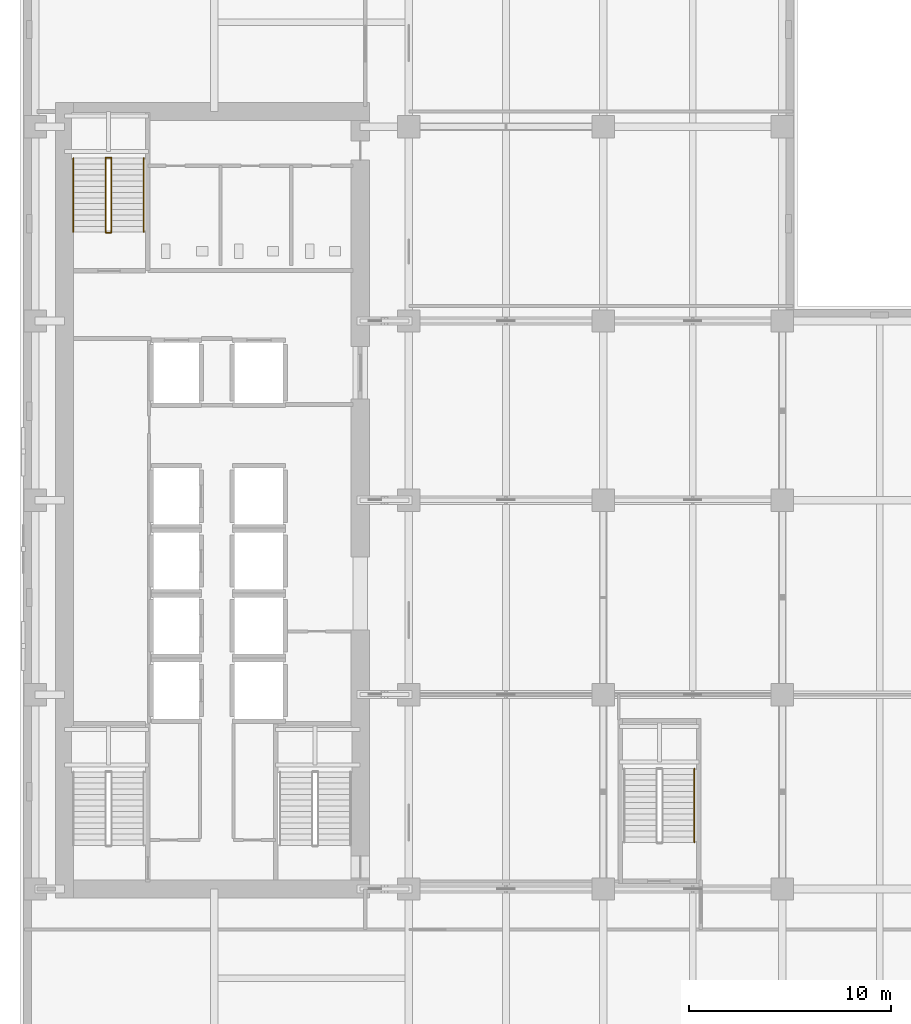
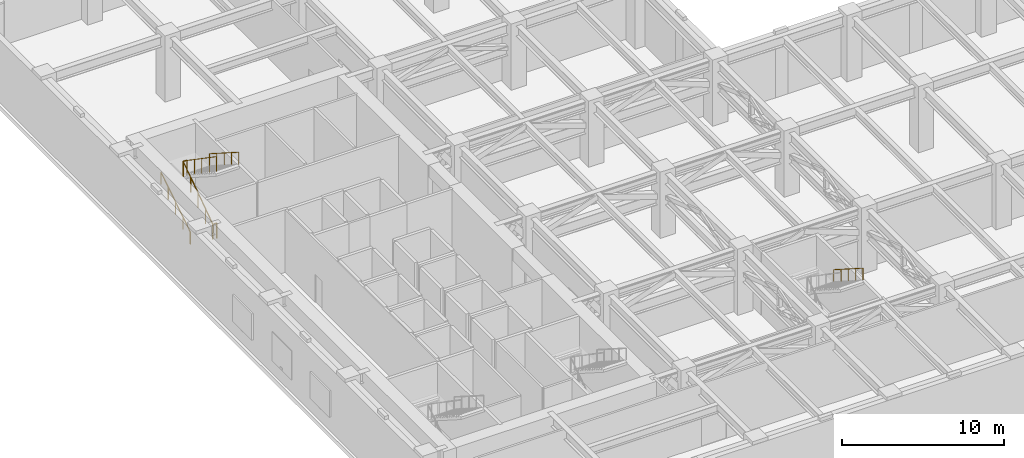
# One storey, part 20 of 22: 7 railings.
"""IFC4 building model written with IfcOpenShell, lengths in metres."""

from ifc_helpers import new_model, si_unit, direction, frame, origin, origin_2d, place, context, subcontext, project, spatial, circle, extrude, material, type_object, element, save


model = new_model("IFC4")

# Units and contexts
model_context = context("Model", 3, precision=1e-05, world=origin(), true_north=direction((0.0, 1.0)))
body_context = subcontext(model_context, "Body", "Model", "MODEL_VIEW")
ifc_project = project(units=[si_unit("LENGTHUNIT", "METRE"), si_unit("AREAUNIT", "SQUARE_METRE"), si_unit("VOLUMEUNIT", "CUBIC_METRE"), si_unit("PLANEANGLEUNIT", "RADIAN"), si_unit("MASSUNIT", "GRAM", prefix="KILO")], contexts=[model_context])

# Site, building, storey
site_placement = place(None, origin())
site = spatial("IfcSite", under=ifc_project, at=site_placement, CompositionType="ELEMENT")
building_placement = place(site_placement, origin())
building = spatial("IfcBuilding", under=site, at=building_placement, Name="Norrvale University Quadrangle", CompositionType="ELEMENT")
storey_placement = place(building_placement, frame((0.0, 0.0, 96.39990234375)))
storey = spatial("IfcBuildingStorey", under=building, at=storey_placement, Name="L24", CompositionType="ELEMENT", Elevation=96.39990234375)

# Railings
ifc_material_1 = material(Name="Steel 350W Painted Balustrade", Category="steel")
railing_type_1 = type_object("IfcRailingType", Name="Railing Stair Guard 1100", PredefinedType="GUARDRAIL", material=ifc_material_1)
for number, where, name in (
    (1, (4.239990234375, 42.02001953125, 0.0), "Stair Floor Well Guard ST-02 L24"),
    (2, (4.239990234375, 45.719970703125, 2.5), "Stair Mid-Landing Slot Guard ST-02 L24"),
):
    element("IfcRailing", number, at=place(storey_placement, frame(where)), inside=storey, type_object=railing_type_1, Name=name, PredefinedType="GUARDRAIL", context=body_context, shape_type="SweptSolid", body=[
        extrude(circle(Radius=0.02392578125, at=origin_2d()), frame((0.0, 0.0, 1.1259765625), z_axis=(1.0, 0.0, 0.0), x_axis=(0.0, 1.0, 0.0)), (0.0, 0.0, 1.0), 0.27001953125),
        extrude(circle(Radius=0.02099609375, at=origin_2d()), origin(), (0.0, 0.0, 1.0), 1.101806640625),
        extrude(circle(Radius=0.02099609375, at=origin_2d()), frame((0.27001953125, 0.0, 0.0)), (0.0, 0.0, 1.0), 1.101806640625),
    ])
railing_1_placement = place(storey_placement, frame((4.239990234375, 42.050048828125, 0.0)))
element("IfcRailing", 3, at=railing_1_placement, inside=storey, type_object=railing_type_1, Name="Stair Lower Flight Inner Guard ST-02 L24", PredefinedType="GUARDRAIL", context=body_context, shape_type="SweptSolid", body=[
    extrude(circle(Radius=0.02392578125, at=origin_2d()), frame((0.0, 0.0, 1.1259765625), z_axis=(0.0, 0.824298337968, 0.566155676491), x_axis=(-1.0, 0.0, 0.0)), (0.0, 0.0, 1.0), 4.415771484375),
    extrude(circle(Radius=0.02099609375, at=origin_2d()), origin(), (0.0, 0.0, 1.0), 1.101806640625),
    extrude(circle(Radius=0.02099609375, at=origin_2d()), frame((0.0, 0.909912109375, 0.625)), (0.0, 0.0, 1.0), 1.101806640625),
    extrude(circle(Radius=0.02099609375, at=origin_2d()), frame((0.0, 1.81982421875, 1.25)), (0.0, 0.0, 1.0), 1.101806640625),
    extrude(circle(Radius=0.02099609375, at=origin_2d()), frame((0.0, 2.72998046875, 1.875)), (0.0, 0.0, 1.0), 1.101806640625),
    extrude(circle(Radius=0.02099609375, at=origin_2d()), frame((0.0, 3.639892578125, 2.5)), (0.0, 0.0, 1.0), 1.101806640625),
])
railing_2_placement = place(storey_placement, frame((4.510009765625, 45.68994140625, 2.5)))
element("IfcRailing", 4, at=railing_2_placement, inside=storey, type_object=railing_type_1, Name="Stair Upper Flight Inner Guard ST-02 L24", PredefinedType="GUARDRAIL", context=body_context, shape_type="SweptSolid", body=[
    extrude(circle(Radius=0.02392578125, at=origin_2d()), frame((0.0, 0.0, 1.1259765625), z_axis=(0.0, -0.824298337968, 0.566155676491), x_axis=(1.0, 0.0, 0.0)), (0.0, 0.0, 1.0), 4.415771484375),
    extrude(circle(Radius=0.02099609375, at=origin_2d()), origin(), (0.0, 0.0, 1.0), 1.101806640625),
    extrude(circle(Radius=0.02099609375, at=origin_2d()), frame((0.0, -0.909912109375, 0.625)), (0.0, 0.0, 1.0), 1.101806640625),
    extrude(circle(Radius=0.02099609375, at=origin_2d()), frame((0.0, -1.81982421875, 1.25)), (0.0, 0.0, 1.0), 1.101806640625),
    extrude(circle(Radius=0.02099609375, at=origin_2d()), frame((0.0, -2.72998046875, 1.875)), (0.0, 0.0, 1.0), 1.101806640625),
    extrude(circle(Radius=0.02099609375, at=origin_2d()), frame((0.0, -3.639892578125, 2.5)), (0.0, 0.0, 1.0), 1.101806640625),
])
ifc_material_2 = material(Name="Stainless Steel 316L Handrail", Category="steel")
railing_type_2 = type_object("IfcRailingType", Name="Railing Stair Handrail 920", PredefinedType="HANDRAIL", material=ifc_material_2)
railing_3_placement = place(storey_placement, frame((2.639892578125, 42.050048828125, 0.1787109375)))
element("IfcRailing", 5, at=railing_3_placement, inside=storey, type_object=railing_type_2, Name="Stair Lower Flight Handrail ST-02 L24", PredefinedType="HANDRAIL", context=body_context, shape_type="SweptSolid", body=[
    extrude(circle(Radius=0.02392578125, at=origin_2d()), frame((0.0, 0.0, 0.89599609375), z_axis=(0.0, 0.843137146238, 0.537698570422), x_axis=(-1.0, 0.0, 0.0)), (0.0, 0.0, 1.0), 4.317138671875),
    extrude(circle(Radius=0.02099609375, at=origin_2d()), origin(), (0.0, 0.0, 1.0), 0.871826171875),
    extrude(circle(Radius=0.02099609375, at=origin_2d()), frame((0.0, 0.909912109375, 0.580322265625)), (0.0, 0.0, 1.0), 0.871826171875),
    extrude(circle(Radius=0.02099609375, at=origin_2d()), frame((0.0, 1.81982421875, 1.16064453125)), (0.0, 0.0, 1.0), 0.871826171875),
    extrude(circle(Radius=0.02099609375, at=origin_2d()), frame((0.0, 2.72998046875, 1.740966796875)), (0.0, 0.0, 1.0), 0.871826171875),
    extrude(circle(Radius=0.02099609375, at=origin_2d()), frame((0.0, 3.639892578125, 2.3212890625)), (0.0, 0.0, 1.0), 0.871826171875),
])
railing_4_placement = place(storey_placement, frame((6.110107421875, 45.68994140625, 2.6787109375)))
element("IfcRailing", 6, at=railing_4_placement, inside=storey, type_object=railing_type_2, Name="Stair Upper Flight Handrail ST-02 L24", PredefinedType="HANDRAIL", context=body_context, shape_type="SweptSolid", body=[
    extrude(circle(Radius=0.02392578125, at=origin_2d()), frame((0.0, 0.0, 0.89599609375), z_axis=(0.0, -0.843137146238, 0.537698570422), x_axis=(1.0, 0.0, 0.0)), (0.0, 0.0, 1.0), 4.317138671875),
    extrude(circle(Radius=0.02099609375, at=origin_2d()), origin(), (0.0, 0.0, 1.0), 0.871826171875),
    extrude(circle(Radius=0.02099609375, at=origin_2d()), frame((0.0, -0.909912109375, 0.580322265625)), (0.0, 0.0, 1.0), 0.871826171875),
    extrude(circle(Radius=0.02099609375, at=origin_2d()), frame((0.0, -1.81982421875, 1.16064453125)), (0.0, 0.0, 1.0), 0.871826171875),
    extrude(circle(Radius=0.02099609375, at=origin_2d()), frame((0.0, -2.72998046875, 1.740966796875)), (0.0, 0.0, 1.0), 0.871826171875),
    extrude(circle(Radius=0.02099609375, at=origin_2d()), frame((0.0, -3.639892578125, 2.3212890625)), (0.0, 0.0, 1.0), 0.871826171875),
])
railing_5_placement = place(storey_placement, frame((33.31005859375, 15.5400390625, 2.6787109375)))
element("IfcRailing", 7, at=railing_5_placement, inside=storey, type_object=railing_type_2, Name="Stair Upper Flight Handrail ST-04 L24", PredefinedType="HANDRAIL", context=body_context, shape_type="SweptSolid", body=[
    extrude(circle(Radius=0.02392578125, at=origin_2d()), frame((0.0, 0.0, 0.89599609375), z_axis=(0.0, -0.843153495434, 0.537672933239), x_axis=(1.0, 0.0, 0.0)), (0.0, 0.0, 1.0), 4.3173828125),
    extrude(circle(Radius=0.02099609375, at=origin_2d()), origin(), (0.0, 0.0, 1.0), 0.871826171875),
    extrude(circle(Radius=0.02099609375, at=origin_2d()), frame((0.0, -0.91015625, 0.580322265625)), (0.0, 0.0, 1.0), 0.871826171875),
    extrude(circle(Radius=0.02099609375, at=origin_2d()), frame((0.0, -1.820068359375, 1.16064453125)), (0.0, 0.0, 1.0), 0.871826171875),
    extrude(circle(Radius=0.02099609375, at=origin_2d()), frame((0.0, -2.72998046875, 1.740966796875)), (0.0, 0.0, 1.0), 0.871826171875),
    extrude(circle(Radius=0.02099609375, at=origin_2d()), frame((0.0, -3.64013671875, 2.3212890625)), (0.0, 0.0, 1.0), 0.871826171875),
])

save(model, "model.ifc")
